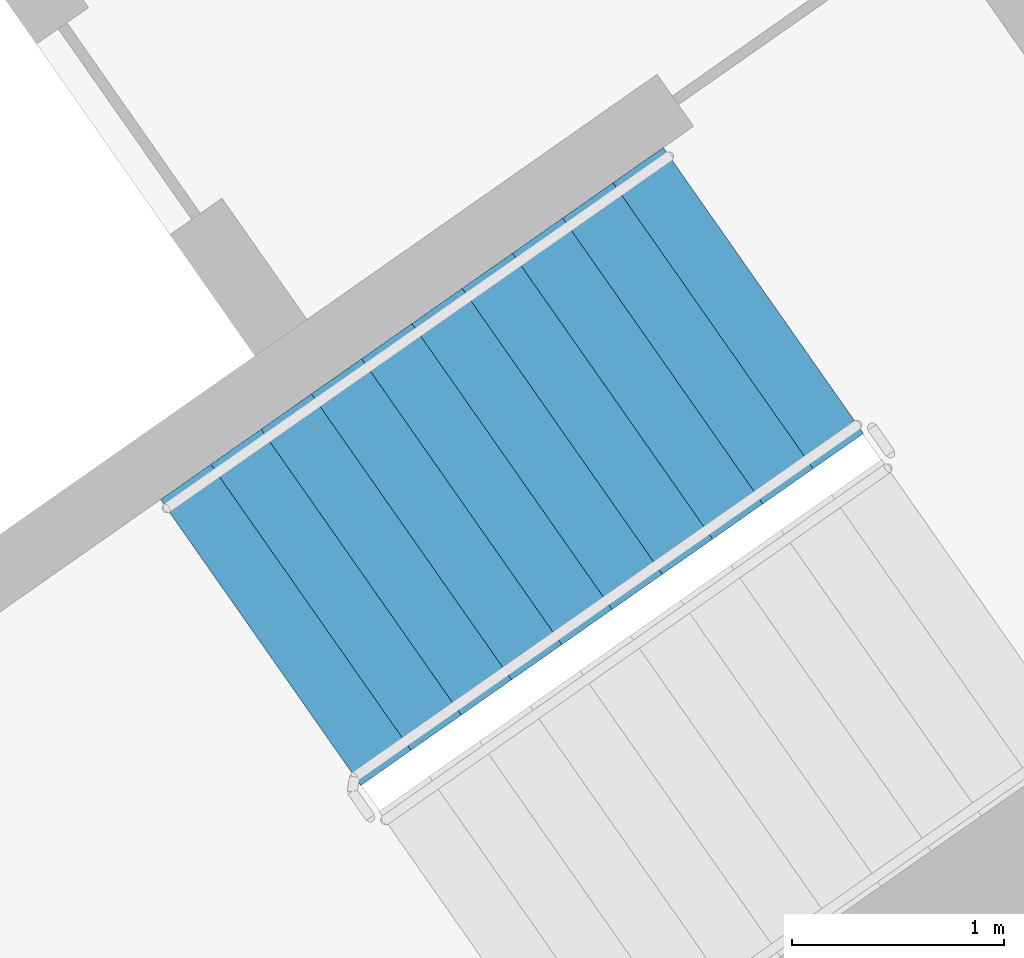
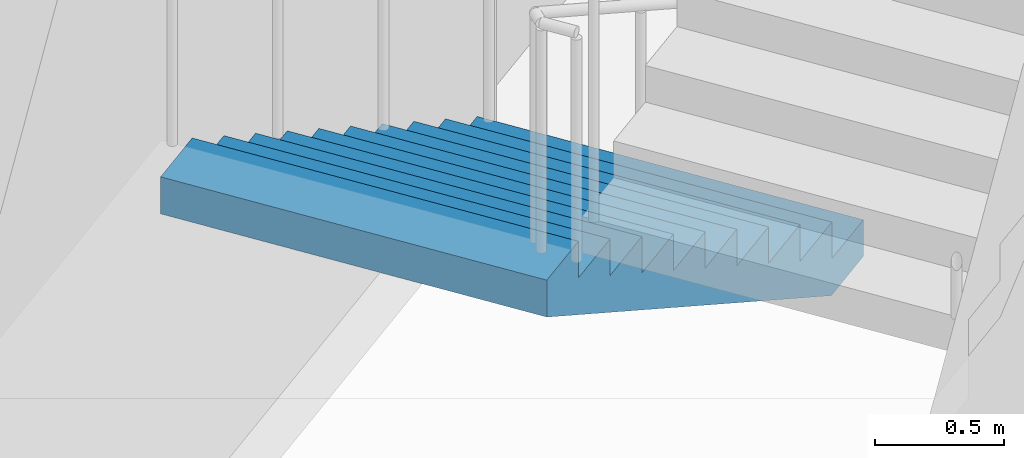
# One storey, part 14 of 29: 1 stair flight, 1 element without a shape of its own.
"""IFC4 building model written with IfcOpenShell, lengths in metres."""

from ifc_helpers import new_model, si_unit, direction, frame, origin, place, context, subcontext, project, spatial, faceted_brep, material, type_object, element, aggregate, save


model = new_model("IFC4")

# Units and contexts
model_context = context("Model", 3, precision=1e-05, world=origin(), true_north=direction((0.0, 1.0)))
body_context = subcontext(model_context, "Body", "Model", "MODEL_VIEW")
ifc_project = project(units=[si_unit("LENGTHUNIT", "METRE"), si_unit("AREAUNIT", "SQUARE_METRE"), si_unit("VOLUMEUNIT", "CUBIC_METRE"), si_unit("PLANEANGLEUNIT", "RADIAN"), si_unit("MASSUNIT", "GRAM", prefix="KILO")], contexts=[model_context])

# Site, building, storey
site_placement = place(None, origin())
site = spatial("IfcSite", under=ifc_project, at=site_placement, CompositionType="ELEMENT")
building_placement = place(site_placement, origin())
building = spatial("IfcBuilding", under=site, at=building_placement, Name="Qamariyya Broadcast Tower", CompositionType="ELEMENT")
storey_placement = place(building_placement, frame((0.0, 0.0, 261.89990234375)))
storey = spatial("IfcBuildingStorey", under=building, at=storey_placement, Name="L63", CompositionType="ELEMENT", Elevation=261.89990234375)

# Stair, stair flight
ifc_material = material(Name="Concrete C50/60", Category="concrete")
stair_type = type_object("IfcStairType", Name="Exit stair 22 risers of 173 mm", PredefinedType="HALF_TURN_STAIR", material=ifc_material)
stair_placement = place(storey_placement, origin())
stair = element("IfcStair", 1, at=stair_placement, inside=storey, type_object=stair_type, Name="L63 Stair E1", PredefinedType="HALF_TURN_STAIR")
stair_flight_type = type_object("IfcStairFlightType", Name="Exit stair flight 11 risers of 173 mm", PredefinedType="STRAIGHT", material=ifc_material)
stair_flight_placement = place(storey_placement, frame((46.036376953125, -55.508056640625, 0.0), z_axis=(0.0, 0.0, 1.0), x_axis=(-0.819152044289, -0.573576436351, 0.0)))
stair_flight = element("IfcStairFlight", 2, at=stair_flight_placement, type_object=stair_flight_type, Name="ST-E1 flight 1", NumberOfRisers=11, NumberOfTreads=10, PredefinedType="STRAIGHT", RiserHeight=0.172727273, TreadLength=0.29, context=body_context, shape_type="Brep", body=[
    faceted_brep([(0.0, 0.824951171875, 0.0), (0.0, 0.824951171875, 0.172607421875), (0.2900390625, 0.824951171875, 0.172607421875), (0.2900390625, 0.824951171875, 0.345458984375), (0.580078125, 0.824951171875, 0.345458984375), (0.580078125, 0.824951171875, 0.51806640625), (0.8701171875, 0.824951171875, 0.51806640625), (0.8701171875, 0.824951171875, 0.69091796875), (1.159912109375, 0.824951171875, 0.69091796875), (1.159912109375, 0.824951171875, 0.863525390625), (1.449951171875, 0.824951171875, 0.863525390625), (1.449951171875, 0.824951171875, 1.036376953125), (1.739990234375, 0.824951171875, 1.036376953125), (1.739990234375, 0.824951171875, 1.208984375), (2.030029296875, 0.824951171875, 1.208984375), (2.030029296875, 0.824951171875, 1.3818359375), (2.320068359375, 0.824951171875, 1.3818359375), (2.320068359375, 0.824951171875, 1.554443359375), (2.610107421875, 0.824951171875, 1.554443359375), (2.610107421875, 0.824951171875, 1.727294921875), (2.89990234375, 0.824951171875, 1.727294921875), (2.89990234375, 0.824951171875, 1.552734375), (0.29296875, 0.824951171875, 0.0), (0.29296875, -0.824951171875, 0.0), (2.89990234375, -0.824951171875, 1.552734375), (2.89990234375, -0.824951171875, 1.727294921875), (2.610107421875, -0.824951171875, 1.727294921875), (2.610107421875, -0.824951171875, 1.554443359375), (2.320068359375, -0.824951171875, 1.554443359375), (2.320068359375, -0.824951171875, 1.3818359375), (2.030029296875, -0.824951171875, 1.3818359375), (2.030029296875, -0.824951171875, 1.208984375), (1.739990234375, -0.824951171875, 1.208984375), (1.739990234375, -0.824951171875, 1.036376953125), (1.449951171875, -0.824951171875, 1.036376953125), (1.449951171875, -0.824951171875, 0.863525390625), (1.159912109375, -0.824951171875, 0.863525390625), (1.159912109375, -0.824951171875, 0.69091796875), (0.8701171875, -0.824951171875, 0.69091796875), (0.8701171875, -0.824951171875, 0.51806640625), (0.580078125, -0.824951171875, 0.51806640625), (0.580078125, -0.824951171875, 0.345458984375), (0.2900390625, -0.824951171875, 0.345458984375), (0.2900390625, -0.824951171875, 0.172607421875), (0.0, -0.824951171875, 0.172607421875), (0.0, -0.824951171875, 0.0), (0.0, 0.10009765625, 0.0), (0.0, 0.086669921875, 0.0), (0.0, 0.0732421875, 0.0), (0.0, 0.06005859375, 0.0), (0.0, 0.046630859375, 0.0), (0.0, 0.033447265625, 0.0), (0.0, 0.02001953125, 0.0), (0.0, 0.006591796875, 0.0), (0.0, -0.006591796875, 0.0), (0.0, -0.02001953125, 0.0), (0.0, -0.033447265625, 0.0), (0.0, -0.046630859375, 0.0), (0.0, -0.06005859375, 0.0), (0.0, -0.0732421875, 0.0), (0.0, -0.086669921875, 0.0), (0.0, -0.10009765625, 0.0), (0.0, -0.10009765625, 0.172607421875), (0.0, -0.086669921875, 0.172607421875), (0.0, -0.0732421875, 0.172607421875), (0.0, -0.06005859375, 0.172607421875), (0.0, -0.046630859375, 0.172607421875), (0.0, -0.033447265625, 0.172607421875), (0.0, -0.02001953125, 0.172607421875), (0.0, -0.006591796875, 0.172607421875), (0.0, 0.006591796875, 0.172607421875), (0.0, 0.02001953125, 0.172607421875), (0.0, 0.033447265625, 0.172607421875), (0.0, 0.046630859375, 0.172607421875), (0.0, 0.06005859375, 0.172607421875), (0.0, 0.0732421875, 0.172607421875), (0.0, 0.086669921875, 0.172607421875), (0.0, 0.10009765625, 0.172607421875), (0.2900390625, -0.10009765625, 0.172607421875), (0.2900390625, -0.086669921875, 0.172607421875), (0.2900390625, -0.0732421875, 0.172607421875), (0.2900390625, -0.06005859375, 0.172607421875), (0.2900390625, -0.046630859375, 0.172607421875), (0.2900390625, -0.033447265625, 0.172607421875), (0.2900390625, -0.02001953125, 0.172607421875), (0.2900390625, -0.006591796875, 0.172607421875), (0.2900390625, 0.006591796875, 0.172607421875), (0.2900390625, 0.02001953125, 0.172607421875), (0.2900390625, 0.033447265625, 0.172607421875), (0.2900390625, 0.046630859375, 0.172607421875), (0.2900390625, 0.06005859375, 0.172607421875), (0.2900390625, 0.0732421875, 0.172607421875), (0.2900390625, 0.086669921875, 0.172607421875), (0.2900390625, 0.10009765625, 0.172607421875), (0.2900390625, -0.10009765625, 0.345458984375), (0.2900390625, -0.086669921875, 0.345458984375), (0.2900390625, -0.0732421875, 0.345458984375), (0.2900390625, -0.06005859375, 0.345458984375), (0.2900390625, -0.046630859375, 0.345458984375), (0.2900390625, -0.033447265625, 0.345458984375), (0.2900390625, -0.02001953125, 0.345458984375), (0.2900390625, -0.006591796875, 0.345458984375), (0.2900390625, 0.006591796875, 0.345458984375), (0.2900390625, 0.02001953125, 0.345458984375), (0.2900390625, 0.033447265625, 0.345458984375), (0.2900390625, 0.046630859375, 0.345458984375), (0.2900390625, 0.06005859375, 0.345458984375), (0.2900390625, 0.0732421875, 0.345458984375), (0.2900390625, 0.086669921875, 0.345458984375), (0.2900390625, 0.10009765625, 0.345458984375), (0.580078125, -0.10009765625, 0.345458984375), (0.580078125, -0.086669921875, 0.345458984375), (0.580078125, -0.0732421875, 0.345458984375), (0.580078125, -0.06005859375, 0.345458984375), (0.580078125, -0.046630859375, 0.345458984375), (0.580078125, -0.033447265625, 0.345458984375), (0.580078125, -0.02001953125, 0.345458984375), (0.580078125, -0.006591796875, 0.345458984375), (0.580078125, 0.006591796875, 0.345458984375), (0.580078125, 0.02001953125, 0.345458984375), (0.580078125, 0.033447265625, 0.345458984375), (0.580078125, 0.046630859375, 0.345458984375), (0.580078125, 0.06005859375, 0.345458984375), (0.580078125, 0.0732421875, 0.345458984375), (0.580078125, 0.086669921875, 0.345458984375), (0.580078125, 0.10009765625, 0.345458984375), (0.580078125, -0.10009765625, 0.51806640625), (0.580078125, -0.086669921875, 0.51806640625), (0.580078125, -0.0732421875, 0.51806640625), (0.580078125, -0.06005859375, 0.51806640625), (0.580078125, -0.046630859375, 0.51806640625), (0.580078125, -0.033447265625, 0.51806640625), (0.580078125, -0.02001953125, 0.51806640625), (0.580078125, -0.006591796875, 0.51806640625), (0.580078125, 0.006591796875, 0.51806640625), (0.580078125, 0.02001953125, 0.51806640625), (0.580078125, 0.033447265625, 0.51806640625), (0.580078125, 0.046630859375, 0.51806640625), (0.580078125, 0.06005859375, 0.51806640625), (0.580078125, 0.0732421875, 0.51806640625), (0.580078125, 0.086669921875, 0.51806640625), (0.580078125, 0.10009765625, 0.51806640625), (0.8701171875, -0.10009765625, 0.51806640625), (0.8701171875, -0.086669921875, 0.51806640625), (0.8701171875, -0.0732421875, 0.51806640625), (0.8701171875, -0.06005859375, 0.51806640625), (0.8701171875, -0.046630859375, 0.51806640625), (0.8701171875, -0.033447265625, 0.51806640625), (0.8701171875, -0.02001953125, 0.51806640625), (0.8701171875, -0.006591796875, 0.51806640625), (0.8701171875, 0.006591796875, 0.51806640625), (0.8701171875, 0.02001953125, 0.51806640625), (0.8701171875, 0.033447265625, 0.51806640625), (0.8701171875, 0.046630859375, 0.51806640625), (0.8701171875, 0.06005859375, 0.51806640625), (0.8701171875, 0.0732421875, 0.51806640625), (0.8701171875, 0.086669921875, 0.51806640625), (0.8701171875, 0.10009765625, 0.51806640625), (0.8701171875, -0.10009765625, 0.69091796875), (0.8701171875, -0.086669921875, 0.69091796875), (0.8701171875, -0.0732421875, 0.69091796875), (0.8701171875, -0.06005859375, 0.69091796875), (0.8701171875, -0.046630859375, 0.69091796875), (0.8701171875, -0.033447265625, 0.69091796875), (0.8701171875, -0.02001953125, 0.69091796875), (0.8701171875, -0.006591796875, 0.69091796875), (0.8701171875, 0.006591796875, 0.69091796875), (0.8701171875, 0.02001953125, 0.69091796875), (0.8701171875, 0.033447265625, 0.69091796875), (0.8701171875, 0.046630859375, 0.69091796875), (0.8701171875, 0.06005859375, 0.69091796875), (0.8701171875, 0.0732421875, 0.69091796875), (0.8701171875, 0.086669921875, 0.69091796875), (0.8701171875, 0.10009765625, 0.69091796875), (1.159912109375, -0.10009765625, 0.69091796875), (1.159912109375, -0.086669921875, 0.69091796875), (1.159912109375, -0.0732421875, 0.69091796875), (1.159912109375, -0.06005859375, 0.69091796875), (1.159912109375, -0.046630859375, 0.69091796875), (1.159912109375, -0.033447265625, 0.69091796875), (1.159912109375, -0.02001953125, 0.69091796875), (1.159912109375, -0.006591796875, 0.69091796875), (1.159912109375, 0.006591796875, 0.69091796875), (1.159912109375, 0.02001953125, 0.69091796875), (1.159912109375, 0.033447265625, 0.69091796875), (1.159912109375, 0.046630859375, 0.69091796875), (1.159912109375, 0.06005859375, 0.69091796875), (1.159912109375, 0.0732421875, 0.69091796875), (1.159912109375, 0.086669921875, 0.69091796875), (1.159912109375, 0.10009765625, 0.69091796875), (1.159912109375, -0.10009765625, 0.863525390625), (1.159912109375, -0.086669921875, 0.863525390625), (1.159912109375, -0.0732421875, 0.863525390625), (1.159912109375, -0.06005859375, 0.863525390625), (1.159912109375, -0.046630859375, 0.863525390625), (1.159912109375, -0.033447265625, 0.863525390625), (1.159912109375, -0.02001953125, 0.863525390625), (1.159912109375, -0.006591796875, 0.863525390625), (1.159912109375, 0.006591796875, 0.863525390625), (1.159912109375, 0.02001953125, 0.863525390625), (1.159912109375, 0.033447265625, 0.863525390625), (1.159912109375, 0.046630859375, 0.863525390625), (1.159912109375, 0.06005859375, 0.863525390625), (1.159912109375, 0.0732421875, 0.863525390625), (1.159912109375, 0.086669921875, 0.863525390625), (1.159912109375, 0.10009765625, 0.863525390625), (1.449951171875, -0.10009765625, 0.863525390625), (1.449951171875, -0.086669921875, 0.863525390625), (1.449951171875, -0.0732421875, 0.863525390625), (1.449951171875, -0.06005859375, 0.863525390625), (1.449951171875, -0.046630859375, 0.863525390625), (1.449951171875, -0.033447265625, 0.863525390625), (1.449951171875, -0.02001953125, 0.863525390625), (1.449951171875, -0.006591796875, 0.863525390625), (1.449951171875, 0.006591796875, 0.863525390625), (1.449951171875, 0.02001953125, 0.863525390625), (1.449951171875, 0.033447265625, 0.863525390625), (1.449951171875, 0.046630859375, 0.863525390625), (1.449951171875, 0.06005859375, 0.863525390625), (1.449951171875, 0.0732421875, 0.863525390625), (1.449951171875, 0.086669921875, 0.863525390625), (1.449951171875, 0.10009765625, 0.863525390625), (1.449951171875, -0.10009765625, 1.036376953125), (1.449951171875, -0.086669921875, 1.036376953125), (1.449951171875, -0.0732421875, 1.036376953125), (1.449951171875, -0.06005859375, 1.036376953125), (1.449951171875, -0.046630859375, 1.036376953125), (1.449951171875, -0.033447265625, 1.036376953125), (1.449951171875, -0.02001953125, 1.036376953125), (1.449951171875, -0.006591796875, 1.036376953125), (1.449951171875, 0.006591796875, 1.036376953125), (1.449951171875, 0.02001953125, 1.036376953125), (1.449951171875, 0.033447265625, 1.036376953125), (1.449951171875, 0.046630859375, 1.036376953125), (1.449951171875, 0.06005859375, 1.036376953125), (1.449951171875, 0.0732421875, 1.036376953125), (1.449951171875, 0.086669921875, 1.036376953125), (1.449951171875, 0.10009765625, 1.036376953125), (1.739990234375, -0.10009765625, 1.036376953125), (1.739990234375, -0.086669921875, 1.036376953125), (1.739990234375, -0.0732421875, 1.036376953125), (1.739990234375, -0.06005859375, 1.036376953125), (1.739990234375, -0.046630859375, 1.036376953125), (1.739990234375, -0.033447265625, 1.036376953125), (1.739990234375, -0.02001953125, 1.036376953125), (1.739990234375, -0.006591796875, 1.036376953125), (1.739990234375, 0.006591796875, 1.036376953125), (1.739990234375, 0.02001953125, 1.036376953125), (1.739990234375, 0.033447265625, 1.036376953125), (1.739990234375, 0.046630859375, 1.036376953125), (1.739990234375, 0.06005859375, 1.036376953125), (1.739990234375, 0.0732421875, 1.036376953125), (1.739990234375, 0.086669921875, 1.036376953125), (1.739990234375, 0.10009765625, 1.036376953125), (1.739990234375, -0.10009765625, 1.208984375), (1.739990234375, -0.086669921875, 1.208984375), (1.739990234375, -0.0732421875, 1.208984375), (1.739990234375, -0.06005859375, 1.208984375), (1.739990234375, -0.046630859375, 1.208984375), (1.739990234375, -0.033447265625, 1.208984375), (1.739990234375, -0.02001953125, 1.208984375), (1.739990234375, -0.006591796875, 1.208984375), (1.739990234375, 0.006591796875, 1.208984375), (1.739990234375, 0.02001953125, 1.208984375), (1.739990234375, 0.033447265625, 1.208984375), (1.739990234375, 0.046630859375, 1.208984375), (1.739990234375, 0.06005859375, 1.208984375), (1.739990234375, 0.0732421875, 1.208984375), (1.739990234375, 0.086669921875, 1.208984375), (1.739990234375, 0.10009765625, 1.208984375), (2.030029296875, -0.10009765625, 1.208984375), (2.030029296875, -0.086669921875, 1.208984375), (2.030029296875, -0.0732421875, 1.208984375), (2.030029296875, -0.06005859375, 1.208984375), (2.030029296875, -0.046630859375, 1.208984375), (2.030029296875, -0.033447265625, 1.208984375), (2.030029296875, -0.02001953125, 1.208984375), (2.030029296875, -0.006591796875, 1.208984375), (2.030029296875, 0.006591796875, 1.208984375), (2.030029296875, 0.02001953125, 1.208984375), (2.030029296875, 0.033447265625, 1.208984375), (2.030029296875, 0.046630859375, 1.208984375), (2.030029296875, 0.06005859375, 1.208984375), (2.030029296875, 0.0732421875, 1.208984375), (2.030029296875, 0.086669921875, 1.208984375), (2.030029296875, 0.10009765625, 1.208984375), (2.030029296875, -0.10009765625, 1.3818359375), (2.030029296875, -0.086669921875, 1.3818359375), (2.030029296875, -0.0732421875, 1.3818359375), (2.030029296875, -0.06005859375, 1.3818359375), (2.030029296875, -0.046630859375, 1.3818359375), (2.030029296875, -0.033447265625, 1.3818359375), (2.030029296875, -0.02001953125, 1.3818359375), (2.030029296875, -0.006591796875, 1.3818359375), (2.030029296875, 0.006591796875, 1.3818359375), (2.030029296875, 0.02001953125, 1.3818359375), (2.030029296875, 0.033447265625, 1.3818359375), (2.030029296875, 0.046630859375, 1.3818359375), (2.030029296875, 0.06005859375, 1.3818359375), (2.030029296875, 0.0732421875, 1.3818359375), (2.030029296875, 0.086669921875, 1.3818359375), (2.030029296875, 0.10009765625, 1.3818359375), (2.320068359375, -0.10009765625, 1.3818359375), (2.320068359375, -0.086669921875, 1.3818359375), (2.320068359375, -0.0732421875, 1.3818359375), (2.320068359375, -0.06005859375, 1.3818359375), (2.320068359375, -0.046630859375, 1.3818359375), (2.320068359375, -0.033447265625, 1.3818359375), (2.320068359375, -0.02001953125, 1.3818359375), (2.320068359375, -0.006591796875, 1.3818359375), (2.320068359375, 0.006591796875, 1.3818359375), (2.320068359375, 0.02001953125, 1.3818359375), (2.320068359375, 0.033447265625, 1.3818359375), (2.320068359375, 0.046630859375, 1.3818359375), (2.320068359375, 0.06005859375, 1.3818359375), (2.320068359375, 0.0732421875, 1.3818359375), (2.320068359375, 0.086669921875, 1.3818359375), (2.320068359375, 0.10009765625, 1.3818359375), (2.320068359375, -0.10009765625, 1.554443359375), (2.320068359375, -0.086669921875, 1.554443359375), (2.320068359375, -0.0732421875, 1.554443359375), (2.320068359375, -0.06005859375, 1.554443359375), (2.320068359375, -0.046630859375, 1.554443359375), (2.320068359375, -0.033447265625, 1.554443359375), (2.320068359375, -0.02001953125, 1.554443359375), (2.320068359375, -0.006591796875, 1.554443359375), (2.320068359375, 0.006591796875, 1.554443359375), (2.320068359375, 0.02001953125, 1.554443359375), (2.320068359375, 0.033447265625, 1.554443359375), (2.320068359375, 0.046630859375, 1.554443359375), (2.320068359375, 0.06005859375, 1.554443359375), (2.320068359375, 0.0732421875, 1.554443359375), (2.320068359375, 0.086669921875, 1.554443359375), (2.320068359375, 0.10009765625, 1.554443359375), (2.610107421875, -0.10009765625, 1.554443359375), (2.610107421875, -0.086669921875, 1.554443359375), (2.610107421875, -0.0732421875, 1.554443359375), (2.610107421875, -0.06005859375, 1.554443359375), (2.610107421875, -0.046630859375, 1.554443359375), (2.610107421875, -0.033447265625, 1.554443359375), (2.610107421875, -0.02001953125, 1.554443359375), (2.610107421875, -0.006591796875, 1.554443359375), (2.610107421875, 0.006591796875, 1.554443359375), (2.610107421875, 0.02001953125, 1.554443359375), (2.610107421875, 0.033447265625, 1.554443359375), (2.610107421875, 0.046630859375, 1.554443359375), (2.610107421875, 0.06005859375, 1.554443359375), (2.610107421875, 0.0732421875, 1.554443359375), (2.610107421875, 0.086669921875, 1.554443359375), (2.610107421875, 0.10009765625, 1.554443359375), (2.610107421875, -0.10009765625, 1.727294921875), (2.610107421875, -0.086669921875, 1.727294921875), (2.610107421875, -0.0732421875, 1.727294921875), (2.610107421875, -0.06005859375, 1.727294921875), (2.610107421875, -0.046630859375, 1.727294921875), (2.610107421875, -0.033447265625, 1.727294921875), (2.610107421875, -0.02001953125, 1.727294921875), (2.610107421875, -0.006591796875, 1.727294921875), (2.610107421875, 0.006591796875, 1.727294921875), (2.610107421875, 0.02001953125, 1.727294921875), (2.610107421875, 0.033447265625, 1.727294921875), (2.610107421875, 0.046630859375, 1.727294921875), (2.610107421875, 0.06005859375, 1.727294921875), (2.610107421875, 0.0732421875, 1.727294921875), (2.610107421875, 0.086669921875, 1.727294921875), (2.610107421875, 0.10009765625, 1.727294921875), (2.89990234375, -0.10009765625, 1.727294921875), (2.89990234375, -0.086669921875, 1.727294921875), (2.89990234375, -0.0732421875, 1.727294921875), (2.89990234375, -0.06005859375, 1.727294921875), (2.89990234375, -0.046630859375, 1.727294921875), (2.89990234375, -0.033447265625, 1.727294921875), (2.89990234375, -0.02001953125, 1.727294921875), (2.89990234375, -0.006591796875, 1.727294921875), (2.89990234375, 0.006591796875, 1.727294921875), (2.89990234375, 0.02001953125, 1.727294921875), (2.89990234375, 0.033447265625, 1.727294921875), (2.89990234375, 0.046630859375, 1.727294921875), (2.89990234375, 0.06005859375, 1.727294921875), (2.89990234375, 0.0732421875, 1.727294921875), (2.89990234375, 0.086669921875, 1.727294921875), (2.89990234375, 0.10009765625, 1.727294921875), (2.89990234375, -0.10009765625, 1.552734375), (2.89990234375, -0.086669921875, 1.552734375), (2.89990234375, -0.0732421875, 1.552734375), (2.89990234375, -0.06005859375, 1.552734375), (2.89990234375, -0.046630859375, 1.552734375), (2.89990234375, -0.033447265625, 1.552734375), (2.89990234375, -0.02001953125, 1.552734375), (2.89990234375, -0.006591796875, 1.552734375), (2.89990234375, 0.006591796875, 1.552734375), (2.89990234375, 0.02001953125, 1.552734375), (2.89990234375, 0.033447265625, 1.552734375), (2.89990234375, 0.046630859375, 1.552734375), (2.89990234375, 0.06005859375, 1.552734375), (2.89990234375, 0.0732421875, 1.552734375), (2.89990234375, 0.086669921875, 1.552734375), (2.89990234375, 0.10009765625, 1.552734375), (0.29296875, -0.10009765625, 0.0), (0.29296875, -0.086669921875, 0.0), (0.29296875, -0.0732421875, 0.0), (0.29296875, -0.06005859375, 0.0), (0.29296875, -0.046630859375, 0.0), (0.29296875, -0.033447265625, 0.0), (0.29296875, -0.02001953125, 0.0), (0.29296875, -0.006591796875, 0.0), (0.29296875, 0.006591796875, 0.0), (0.29296875, 0.02001953125, 0.0), (0.29296875, 0.033447265625, 0.0), (0.29296875, 0.046630859375, 0.0), (0.29296875, 0.06005859375, 0.0), (0.29296875, 0.0732421875, 0.0), (0.29296875, 0.086669921875, 0.0), (0.29296875, 0.10009765625, 0.0)], [[[0, 1, 2, 3, 4, 5, 6, 7, 8, 9, 10, 11, 12, 13, 14, 15, 16, 17, 18, 19, 20, 21, 22]], [[23, 24, 25, 26, 27, 28, 29, 30, 31, 32, 33, 34, 35, 36, 37, 38, 39, 40, 41, 42, 43, 44, 45]], [[0, 46, 47, 48, 49, 50, 51, 52, 53, 54, 55, 56, 57, 58, 59, 60, 61, 45, 44, 62, 63, 64, 65, 66, 67, 68, 69, 70, 71, 72, 73, 74, 75, 76, 77, 1]], [[1, 77, 76, 75, 74, 73, 72, 71, 70, 69, 68, 67, 66, 65, 64, 63, 62, 44, 43, 78, 79, 80, 81, 82, 83, 84, 85, 86, 87, 88, 89, 90, 91, 92, 93, 2]], [[2, 93, 92, 91, 90, 89, 88, 87, 86, 85, 84, 83, 82, 81, 80, 79, 78, 43, 42, 94, 95, 96, 97, 98, 99, 100, 101, 102, 103, 104, 105, 106, 107, 108, 109, 3]], [[3, 109, 108, 107, 106, 105, 104, 103, 102, 101, 100, 99, 98, 97, 96, 95, 94, 42, 41, 110, 111, 112, 113, 114, 115, 116, 117, 118, 119, 120, 121, 122, 123, 124, 125, 4]], [[4, 125, 124, 123, 122, 121, 120, 119, 118, 117, 116, 115, 114, 113, 112, 111, 110, 41, 40, 126, 127, 128, 129, 130, 131, 132, 133, 134, 135, 136, 137, 138, 139, 140, 141, 5]], [[5, 141, 140, 139, 138, 137, 136, 135, 134, 133, 132, 131, 130, 129, 128, 127, 126, 40, 39, 142, 143, 144, 145, 146, 147, 148, 149, 150, 151, 152, 153, 154, 155, 156, 157, 6]], [[6, 157, 156, 155, 154, 153, 152, 151, 150, 149, 148, 147, 146, 145, 144, 143, 142, 39, 38, 158, 159, 160, 161, 162, 163, 164, 165, 166, 167, 168, 169, 170, 171, 172, 173, 7]], [[7, 173, 172, 171, 170, 169, 168, 167, 166, 165, 164, 163, 162, 161, 160, 159, 158, 38, 37, 174, 175, 176, 177, 178, 179, 180, 181, 182, 183, 184, 185, 186, 187, 188, 189, 8]], [[8, 189, 188, 187, 186, 185, 184, 183, 182, 181, 180, 179, 178, 177, 176, 175, 174, 37, 36, 190, 191, 192, 193, 194, 195, 196, 197, 198, 199, 200, 201, 202, 203, 204, 205, 9]], [[9, 205, 204, 203, 202, 201, 200, 199, 198, 197, 196, 195, 194, 193, 192, 191, 190, 36, 35, 206, 207, 208, 209, 210, 211, 212, 213, 214, 215, 216, 217, 218, 219, 220, 221, 10]], [[10, 221, 220, 219, 218, 217, 216, 215, 214, 213, 212, 211, 210, 209, 208, 207, 206, 35, 34, 222, 223, 224, 225, 226, 227, 228, 229, 230, 231, 232, 233, 234, 235, 236, 237, 11]], [[11, 237, 236, 235, 234, 233, 232, 231, 230, 229, 228, 227, 226, 225, 224, 223, 222, 34, 33, 238, 239, 240, 241, 242, 243, 244, 245, 246, 247, 248, 249, 250, 251, 252, 253, 12]], [[12, 253, 252, 251, 250, 249, 248, 247, 246, 245, 244, 243, 242, 241, 240, 239, 238, 33, 32, 254, 255, 256, 257, 258, 259, 260, 261, 262, 263, 264, 265, 266, 267, 268, 269, 13]], [[13, 269, 268, 267, 266, 265, 264, 263, 262, 261, 260, 259, 258, 257, 256, 255, 254, 32, 31, 270, 271, 272, 273, 274, 275, 276, 277, 278, 279, 280, 281, 282, 283, 284, 285, 14]], [[14, 285, 284, 283, 282, 281, 280, 279, 278, 277, 276, 275, 274, 273, 272, 271, 270, 31, 30, 286, 287, 288, 289, 290, 291, 292, 293, 294, 295, 296, 297, 298, 299, 300, 301, 15]], [[15, 301, 300, 299, 298, 297, 296, 295, 294, 293, 292, 291, 290, 289, 288, 287, 286, 30, 29, 302, 303, 304, 305, 306, 307, 308, 309, 310, 311, 312, 313, 314, 315, 316, 317, 16]], [[16, 317, 316, 315, 314, 313, 312, 311, 310, 309, 308, 307, 306, 305, 304, 303, 302, 29, 28, 318, 319, 320, 321, 322, 323, 324, 325, 326, 327, 328, 329, 330, 331, 332, 333, 17]], [[17, 333, 332, 331, 330, 329, 328, 327, 326, 325, 324, 323, 322, 321, 320, 319, 318, 28, 27, 334, 335, 336, 337, 338, 339, 340, 341, 342, 343, 344, 345, 346, 347, 348, 349, 18]], [[18, 349, 348, 347, 346, 345, 344, 343, 342, 341, 340, 339, 338, 337, 336, 335, 334, 27, 26, 350, 351, 352, 353, 354, 355, 356, 357, 358, 359, 360, 361, 362, 363, 364, 365, 19]], [[19, 365, 364, 363, 362, 361, 360, 359, 358, 357, 356, 355, 354, 353, 352, 351, 350, 26, 25, 366, 367, 368, 369, 370, 371, 372, 373, 374, 375, 376, 377, 378, 379, 380, 381, 20]], [[20, 381, 380, 379, 378, 377, 376, 375, 374, 373, 372, 371, 370, 369, 368, 367, 366, 25, 24, 382, 383, 384, 385, 386, 387, 388, 389, 390, 391, 392, 393, 394, 395, 396, 397, 21]], [[21, 397, 396, 395, 394, 393, 392, 391, 390, 389, 388, 387, 386, 385, 384, 383, 382, 24, 23, 398, 399, 400, 401, 402, 403, 404, 405, 406, 407, 408, 409, 410, 411, 412, 413, 22]], [[22, 413, 412, 411, 410, 409, 408, 407, 406, 405, 404, 403, 402, 401, 400, 399, 398, 23, 45, 61, 60, 59, 58, 57, 56, 55, 54, 53, 52, 51, 50, 49, 48, 47, 46, 0]]]),
])
aggregate(stair, [stair_flight])

save(model, "model.ifc")
